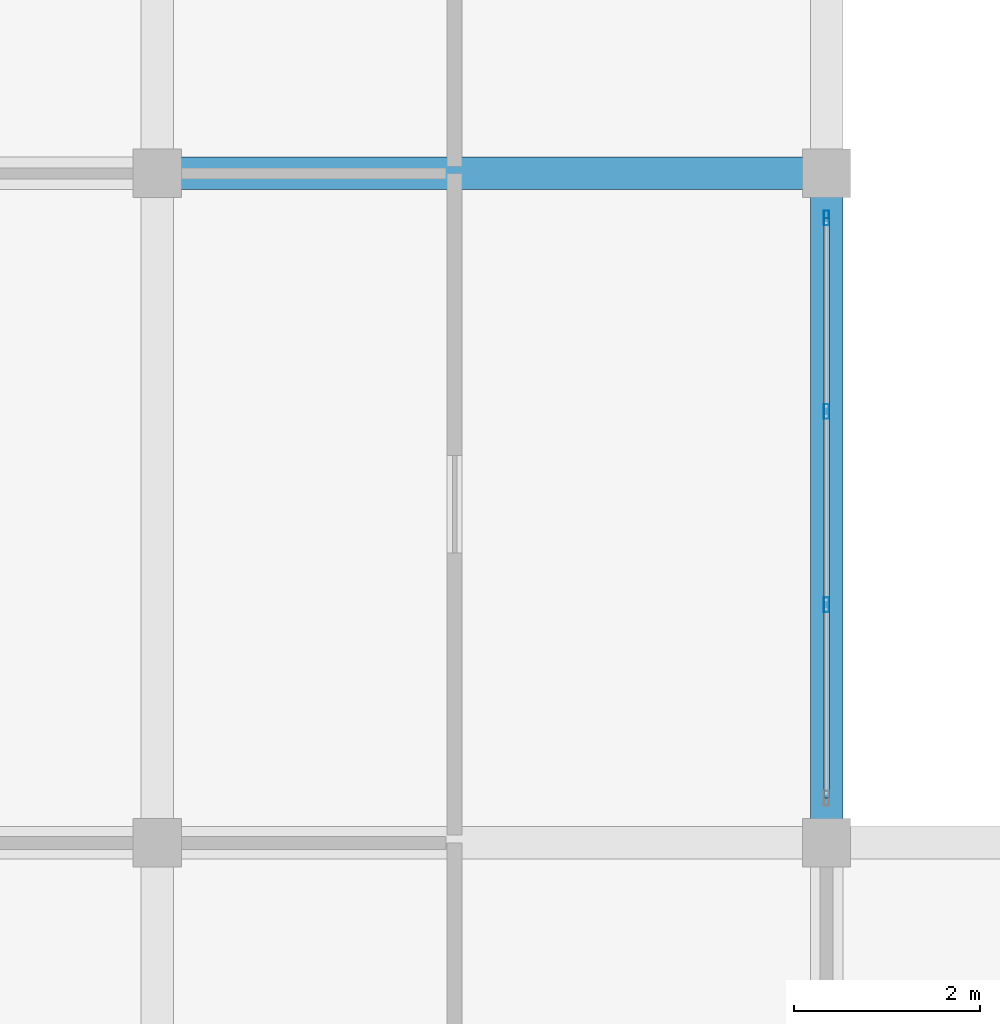
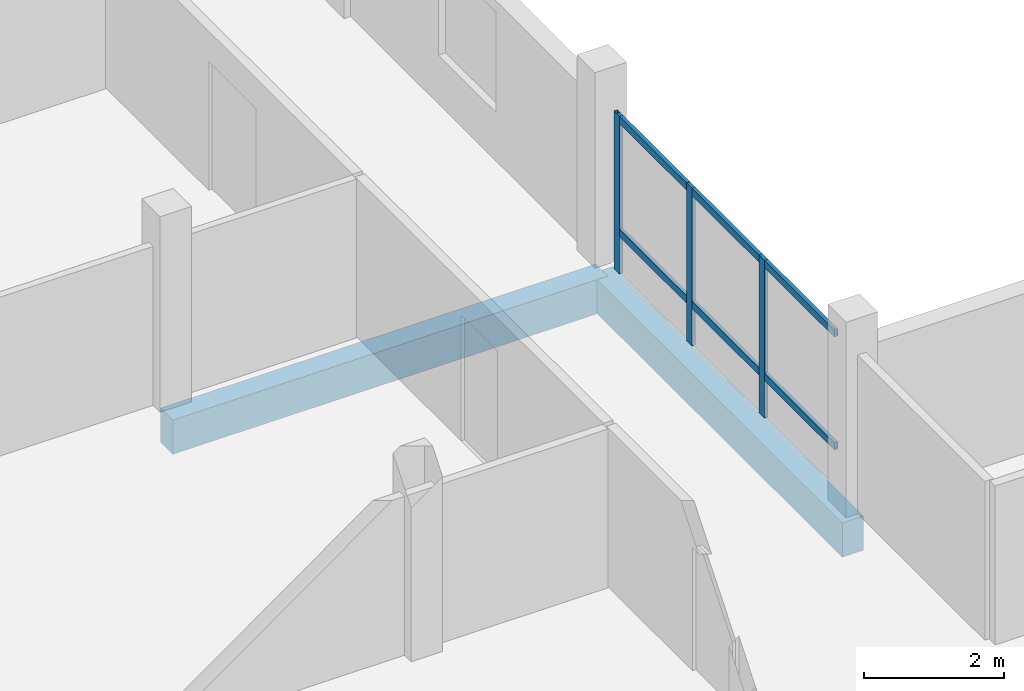
# One storey, part 8 of 26: 5 members, 2 beams, 1 element without a shape of its own.
"""IFC4 building model written with IfcOpenShell, lengths in metres."""

from ifc_helpers import new_model, si_unit, direction, frame, origin, origin_2d, place, context, subcontext, project, spatial, rectangle, hollow_rectangle, extrude, material, material_profile, profile_set, type_object, element, aggregate, save


model = new_model("IFC4")

# Units and contexts
model_context = context("Model", 3, precision=1e-05, world=origin(), true_north=direction((0.0, 1.0)))
body_context = subcontext(model_context, "Body", "Model", "MODEL_VIEW")
ifc_project = project(units=[si_unit("LENGTHUNIT", "METRE"), si_unit("AREAUNIT", "SQUARE_METRE"), si_unit("VOLUMEUNIT", "CUBIC_METRE"), si_unit("PLANEANGLEUNIT", "RADIAN"), si_unit("MASSUNIT", "GRAM", prefix="KILO")], contexts=[model_context])

# Site, building, storey
site_placement = place(None, origin())
site = spatial("IfcSite", under=ifc_project, at=site_placement, CompositionType="ELEMENT")
building_placement = place(site_placement, origin())
building = spatial("IfcBuilding", under=site, at=building_placement, Name="Zornivar Specialist Clinic", CompositionType="ELEMENT")
storey_placement = place(building_placement, frame((0.0, 0.0, 19.699951171875)))
storey = spatial("IfcBuildingStorey", under=building, at=storey_placement, Name="L05", CompositionType="ELEMENT", Elevation=19.699951171875)

# Beams
ifc_material_1 = material(Name="Concrete C30/37", Category="concrete")
ifc_material_profile_1 = material_profile(ifc_material_1, rectangle(XDim=0.35009765625, YDim=0.60009765625, at=origin_2d()), Name="RC 350x600")
ifc_profile_set_1 = profile_set([ifc_material_profile_1], Name="Concrete C30/37")
beam_type = type_object("IfcBeamType", Name="BM-RC-350x600", PredefinedType="BEAM", material=ifc_profile_set_1)
beam_1_placement = place(storey_placement, frame((7.199951171875, 21.60009765625, -0.579833984375), z_axis=(1.0, 0.0, 0.0), x_axis=(0.0, 1.0, 0.0)))
element("IfcBeam", 1, at=beam_1_placement, inside=storey, type_object=beam_type, Name="bm:V2:L05:x:216:1", PredefinedType="BEAM", context=body_context, shape_type="SweptSolid", body=[
    extrude(rectangle(XDim=0.35009765625, YDim=0.60009765625, at=origin_2d()), origin(), (0.0, 0.0, 1.0), 7.199951171875),
])
beam_2_placement = place(storey_placement, frame((14.39990234375, 14.39990234375, -0.579833984375), z_axis=(0.0, 1.0, 0.0), x_axis=(-1.0, 0.0, 0.0)))
element("IfcBeam", 2, at=beam_2_placement, inside=storey, type_object=beam_type, Name="bm:V2:L05:y:144:2", PredefinedType="BEAM", context=body_context, shape_type="SweptSolid", body=[
    extrude(rectangle(XDim=0.35009765625, YDim=0.60009765625, at=origin_2d()), origin(), (0.0, 0.0, 1.0), 7.2001953125),
])

# Curtain wall, members
ifc_material_2 = material(Name="Aluminium and Low-E Glass Curtain Wall", Category="aluminium")
curtain_wall_type = type_object("IfcCurtainWallType", Name="CW-REVAK-COURT", PredefinedType="NOTDEFINED", material=ifc_material_2)
curtain_wall_placement = place(storey_placement, origin())
curtain_wall = element("IfcCurtainWall", 3, at=curtain_wall_placement, inside=storey, type_object=curtain_wall_type, Name="cw:V2:L05:10", PredefinedType="NOTDEFINED")
ifc_material_3 = material(Name="Aluminium AW-6060", Category="aluminium")
ifc_material_profile_2 = material_profile(ifc_material_3, hollow_rectangle(XDim=0.06005859375, YDim=0.159912109375, WallThickness=0.00390625, at=origin_2d()), Name="ALU 60x160x4")
ifc_profile_set_2 = profile_set([ifc_material_profile_2], Name="Aluminium AW-6060")
member_type_1 = type_object("IfcMemberType", Name="CWM-MUL-160", PredefinedType="MULLION", material=ifc_profile_set_2)
member_1_placement = place(storey_placement, frame((14.39990234375, 16.9599609375, 0.0), z_axis=(0.0, 0.0, 1.0), x_axis=(1.0, 0.0, 0.0)))
member_1 = element("IfcMember", 4, at=member_1_placement, type_object=member_type_1, Name="cw:V2:L05:10:mul:1", PredefinedType="MULLION", context=body_context, shape_type="SweptSolid", body=[
    extrude(hollow_rectangle(XDim=0.06005859375, YDim=0.159912109375, WallThickness=0.00390625, at=origin_2d()), origin(), (0.0, 0.0, 1.0), 2.760009765625),
])
member_2_placement = place(storey_placement, frame((14.39990234375, 19.0400390625, 0.0), z_axis=(0.0, 0.0, 1.0), x_axis=(1.0, 0.0, 0.0)))
member_2 = element("IfcMember", 5, at=member_2_placement, type_object=member_type_1, Name="cw:V2:L05:10:mul:2", PredefinedType="MULLION", context=body_context, shape_type="SweptSolid", body=[
    extrude(hollow_rectangle(XDim=0.06005859375, YDim=0.159912109375, WallThickness=0.00390625, at=origin_2d()), origin(), (0.0, 0.0, 1.0), 2.760009765625),
])
member_3_placement = place(storey_placement, frame((14.39990234375, 21.1201171875, 0.0), z_axis=(0.0, 0.0, 1.0), x_axis=(1.0, 0.0, 0.0)))
member_3 = element("IfcMember", 6, at=member_3_placement, type_object=member_type_1, Name="cw:V2:L05:10:mul:3", PredefinedType="MULLION", context=body_context, shape_type="SweptSolid", body=[
    extrude(hollow_rectangle(XDim=0.06005859375, YDim=0.159912109375, WallThickness=0.00390625, at=origin_2d()), origin(), (0.0, 0.0, 1.0), 2.760009765625),
])
ifc_material_4 = material(Name="Aluminium AW-6060", Category="aluminium")
ifc_material_profile_3 = material_profile(ifc_material_4, hollow_rectangle(XDim=0.06005859375, YDim=0.1298828125, WallThickness=0.00390625, at=origin_2d()), Name="ALU 60x130x4")
ifc_profile_set_3 = profile_set([ifc_material_profile_3], Name="Aluminium AW-6060")
member_type_2 = type_object("IfcMemberType", Name="CWM-TRN-130", PredefinedType="USERDEFINED", material=ifc_profile_set_3)
member_4_placement = place(storey_placement, frame((14.39990234375, 14.8798828125, 0.718017578125), z_axis=(0.0, 1.0, 0.0), x_axis=(-1.0, 0.0, 0.0)))
member_4 = element("IfcMember", 7, at=member_4_placement, type_object=member_type_2, Name="cw:V2:L05:10:trn:0", ObjectType="TRANSOM", PredefinedType="USERDEFINED", context=body_context, shape_type="SweptSolid", body=[
    extrude(hollow_rectangle(XDim=0.06005859375, YDim=0.1298828125, WallThickness=0.00390625, at=origin_2d()), origin(), (0.0, 0.0, 1.0), 6.240234375),
])
member_5_placement = place(storey_placement, frame((14.39990234375, 14.8798828125, 2.695068359375), z_axis=(0.0, 1.0, 0.0), x_axis=(-1.0, 0.0, 0.0)))
member_5 = element("IfcMember", 8, at=member_5_placement, type_object=member_type_2, Name="cw:V2:L05:10:trn:1", ObjectType="TRANSOM", PredefinedType="USERDEFINED", context=body_context, shape_type="SweptSolid", body=[
    extrude(hollow_rectangle(XDim=0.06005859375, YDim=0.1298828125, WallThickness=0.00390625, at=origin_2d()), origin(), (0.0, 0.0, 1.0), 6.240234375),
])
aggregate(curtain_wall, [member_1, member_2, member_3, member_4, member_5])

save(model, "model.ifc")
